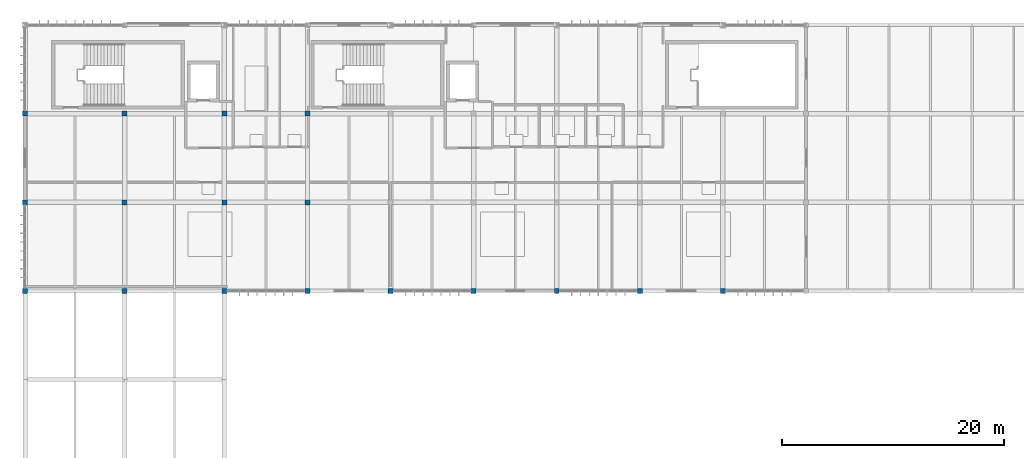
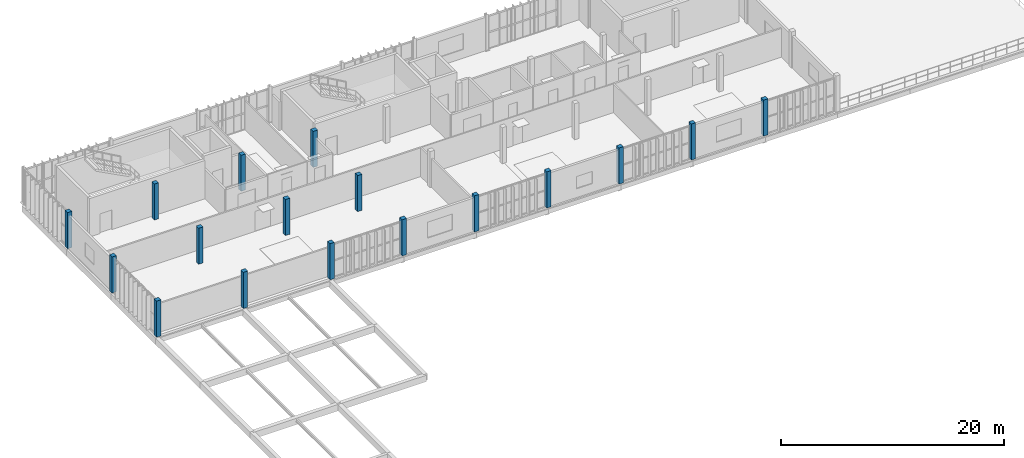
# One storey, part 1 of 26: 17 columns.
"""IFC4 building model written with IfcOpenShell, lengths in metres."""

from ifc_helpers import new_model, si_unit, direction, frame, origin, origin_2d, place, context, subcontext, project, spatial, rectangle, extrude, material, material_profile, profile_set, type_object, element, save


model = new_model("IFC4")

# Units and contexts
model_context = context("Model", 3, precision=1e-05, world=origin(), true_north=direction((0.0, 1.0)))
body_context = subcontext(model_context, "Body", "Model", "MODEL_VIEW")
ifc_project = project(units=[si_unit("LENGTHUNIT", "METRE"), si_unit("AREAUNIT", "SQUARE_METRE"), si_unit("VOLUMEUNIT", "CUBIC_METRE"), si_unit("PLANEANGLEUNIT", "RADIAN"), si_unit("MASSUNIT", "GRAM", prefix="KILO")], contexts=[model_context])

# Site, building, storey
site_placement = place(None, origin())
site = spatial("IfcSite", under=ifc_project, at=site_placement, CompositionType="ELEMENT")
building_placement = place(site_placement, origin())
building = spatial("IfcBuilding", under=site, at=building_placement, Name="Vourika Railside Aquatics Centre", CompositionType="ELEMENT")
storey_placement = place(building_placement, frame((0.0, 0.0, 17.699951171875)))
storey = spatial("IfcBuildingStorey", under=building, at=storey_placement, Name="L04", CompositionType="ELEMENT", Elevation=17.699951171875)

# Columns
ifc_material = material(Name="Concrete C35/45", Category="concrete")
ifc_material_profile = material_profile(ifc_material, rectangle(XDim=0.449951171875, YDim=0.449951171875, at=origin_2d()), Name="RC 450x450")
ifc_profile_set = profile_set([ifc_material_profile], Name="Concrete C35/45")
column_type = type_object("IfcColumnType", Name="COL-RC450", PredefinedType="COLUMN", material=ifc_profile_set)
for number, where, z_axis, x_axis, name in (
    (1, (18.0, 92.0, 0.0), (0.0, 0.0, 1.0), (1.0, 0.0, 0.0), "Column col:L04:180_920"),
    (2, (18.0, 100.0, 0.0), (0.0, 0.0, 1.0), (1.0, 0.0, 0.0), "Column col:L04:180_1000"),
    (3, (18.0, 108.0, 0.0), (0.0, 0.0, 1.0), (1.0, 0.0, 0.0), "Column col:L04:180_1080"),
    (4, (27.0, 92.0, 0.0), (0.0, 0.0, 1.0), (1.0, 0.0, 0.0), "Column col:L04:270_920"),
    (5, (27.0, 100.0, 0.0), (0.0, 0.0, 1.0), (1.0, 0.0, 0.0), "Column col:L04:270_1000"),
    (6, (27.0, 108.0, 0.0), (0.0, 0.0, 1.0), (1.0, 0.0, 0.0), "Column col:L04:270_1080"),
    (7, (36.0, 92.0, 0.0), (0.0, 0.0, 1.0), (1.0, 0.0, 0.0), "Column col:L04:360_920"),
    (8, (36.0, 100.0, 0.0), (0.0, 0.0, 1.0), (1.0, 0.0, 0.0), "Column col:L04:360_1000"),
    (9, (36.0, 108.0, 0.0), (0.0, 0.0, 1.0), (1.0, 0.0, 0.0), "Column col:L04:360_1080"),
    (10, (43.5, 92.0, 0.0), (0.0, 0.0, 1.0), (1.0, 0.0, 0.0), "Column col:L04:435_920"),
    (11, (43.5, 100.0, 0.0), (0.0, 0.0, 1.0), (1.0, 0.0, 0.0), "Column col:L04:435_1000"),
    (12, (43.5, 108.0, 0.0), (0.0, 0.0, 1.0), (1.0, 0.0, 0.0), "Column col:L04:435_1080"),
    (13, (51.0, 92.0, 0.0), (0.0, 0.0, 1.0), (1.0, 0.0, 0.0), "Column col:L04:510_920"),
    (14, (58.5, 92.0, 0.0), (0.0, 0.0, 1.0), (1.0, 0.0, 0.0), "Column col:L04:585_920"),
    (15, (66.0, 92.0, 0.0), (0.0, 0.0, 1.0), (1.0, 0.0, 0.0), "Column col:L04:660_920"),
    (16, (73.5, 92.0, 0.0), (0.0, 0.0, 1.0), (1.0, 0.0, 0.0), "Column col:L04:735_920"),
    (17, (81.0, 92.0, 0.0), (0.0, 0.0, 1.0), (1.0, 0.0, 0.0), "Column col:L04:810_920"),
):
    element("IfcColumn", number, at=place(storey_placement, frame(where, z_axis=z_axis, x_axis=x_axis)), inside=storey, type_object=column_type, Name=name, PredefinedType="COLUMN", context=body_context, shape_type="SweptSolid", body=[
        extrude(rectangle(XDim=0.449951171875, YDim=0.449951171875, at=origin_2d()), origin(), (0.0, 0.0, 1.0), 3.9599609375),
    ])

save(model, "model.ifc")
